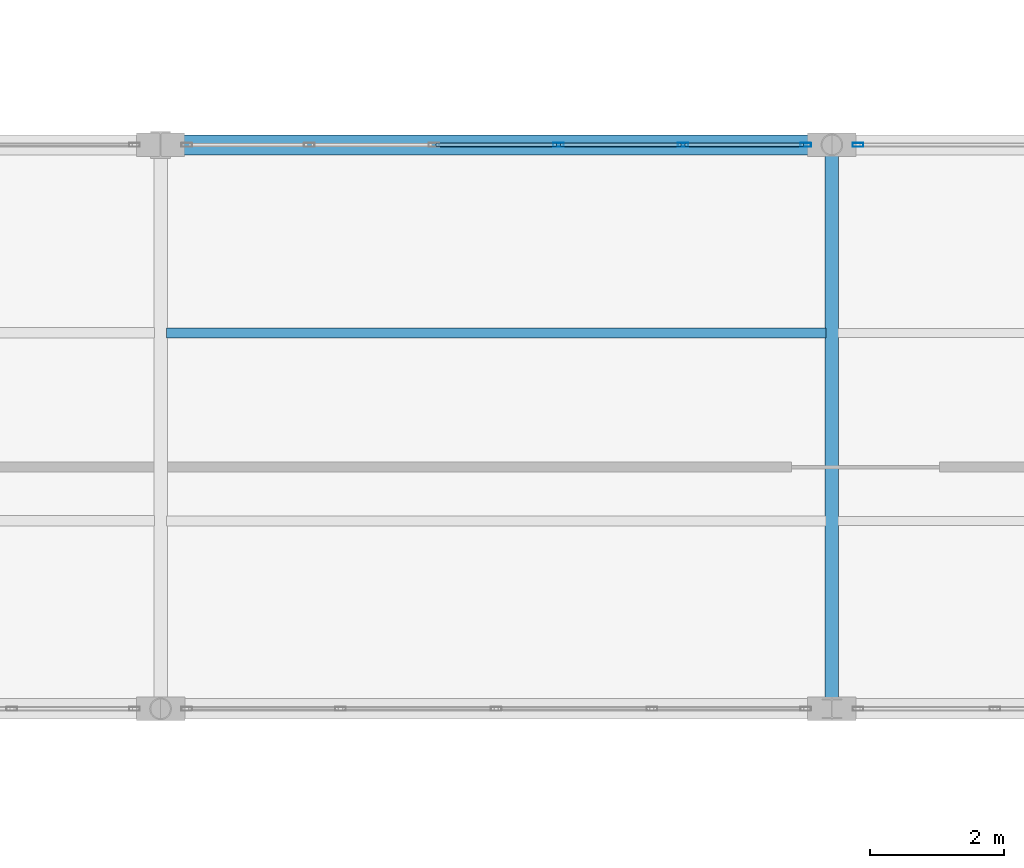
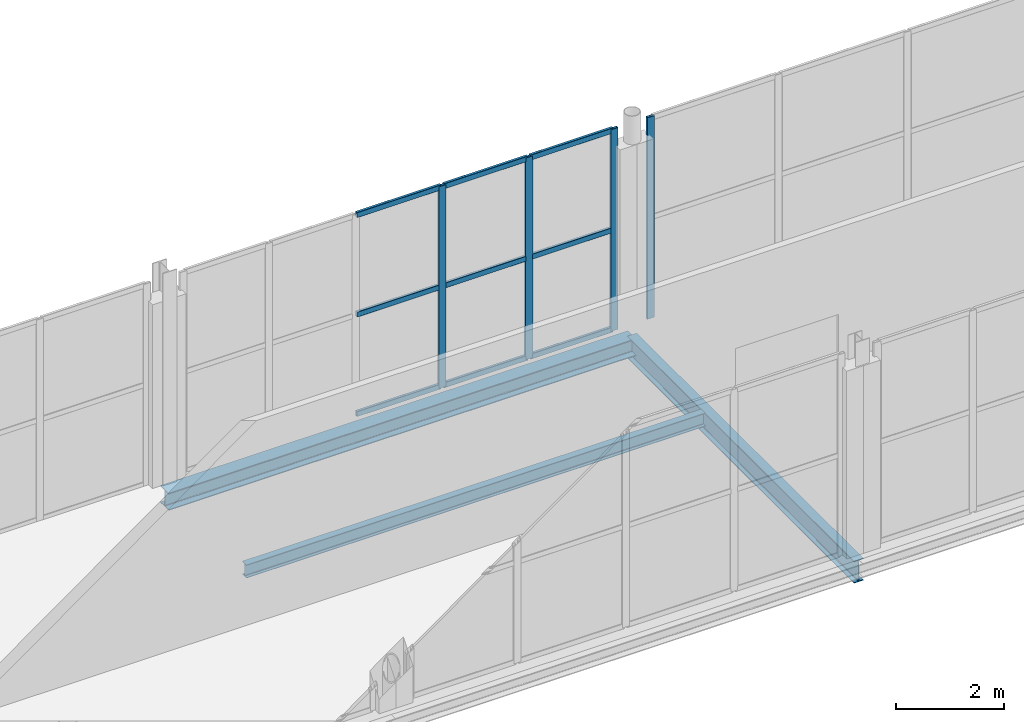
# One storey, part 62 of 120: 13 members, 3 beams, 2 elements without a shape of their own.
"""IFC4 building model written with IfcOpenShell, lengths in metres."""

from ifc_helpers import new_model, si_unit, direction, frame, origin, origin_2d, place, context, subcontext, project, spatial, hollow_rectangle, i_section, extrude, material, layer, layer_set, material_profile, profile_set, type_object, element, aggregate, save


model = new_model("IFC4")

# Units and contexts
model_context = context("Model", 3, precision=1e-05, world=origin(), true_north=direction((0.0, 1.0)))
body_context = subcontext(model_context, "Body", "Model", "MODEL_VIEW")
ifc_project = project(units=[si_unit("LENGTHUNIT", "METRE"), si_unit("AREAUNIT", "SQUARE_METRE"), si_unit("VOLUMEUNIT", "CUBIC_METRE"), si_unit("PLANEANGLEUNIT", "RADIAN"), si_unit("MASSUNIT", "GRAM", prefix="KILO")], contexts=[model_context])

# Site, building, storey
site_placement = place(None, origin())
site = spatial("IfcSite", under=ifc_project, at=site_placement, CompositionType="ELEMENT")
building_placement = place(site_placement, origin())
building = spatial("IfcBuilding", under=site, at=building_placement, Name="Vekula Escarpment Museum", CompositionType="ELEMENT")
storey_placement = place(building_placement, frame((0.0, 0.0, 13.199951171875)))
storey = spatial("IfcBuildingStorey", under=building, at=storey_placement, Name="L03", CompositionType="ELEMENT", Elevation=13.199951171875)

# Beams
ifc_material_1 = material(Name="Steel S355", Category="steel")
ifc_material_profile_1 = material_profile(ifc_material_1, i_section(OverallWidth=0.199951171875, OverallDepth=0.5, WebThickness=0.01025390625, FlangeThickness=0.01611328125, FilletRadius=0.02099609375, at=origin_2d()), Name="IPE 500")
ifc_profile_set_1 = profile_set([ifc_material_profile_1], Name="Steel S355")
beam_type_1 = type_object("IfcBeamType", Name="BM-GIRD-IPE500", PredefinedType="BEAM", material=ifc_profile_set_1)
beam_1_placement = place(storey_placement, frame((146.0, 68.0, -0.5), z_axis=(0.0, 1.0, 0.0), x_axis=(-1.0, 0.0, 0.0)))
element("IfcBeam", 1, at=beam_1_placement, inside=storey, type_object=beam_type_1, Name="Beam Y L03 1636", PredefinedType="BEAM", context=body_context, shape_type="SweptSolid", body=[
    extrude(i_section(OverallWidth=0.199951171875, OverallDepth=0.5, WebThickness=0.01025390625, FlangeThickness=0.01611328125, FilletRadius=0.02099609375, at=origin_2d()), origin(), (0.0, 0.0, 1.0), 8.39990234375),
])
ifc_material_2 = material(Name="Steel S355", Category="steel")
ifc_material_profile_2 = material_profile(ifc_material_2, i_section(OverallWidth=0.14990234375, OverallDepth=0.300048828125, WebThickness=0.007080078125, FlangeThickness=0.0107421875, FilletRadius=0.014892578125, at=origin_2d()), Name="IPE 300")
ifc_profile_set_2 = profile_set([ifc_material_profile_2], Name="Steel S355")
beam_type_2 = type_object("IfcBeamType", Name="BM-JST-IPE300", PredefinedType="JOIST", material=ifc_profile_set_2)
beam_2_placement = place(storey_placement, frame((136.090087890625, 73.60009765625, -0.39990234375), z_axis=(1.0, 0.0, 0.0), x_axis=(0.0, 1.0, 0.0)))
element("IfcBeam", 2, at=beam_2_placement, inside=storey, type_object=beam_type_2, Name="Secondary Joist L03 1079", PredefinedType="JOIST", context=body_context, shape_type="SweptSolid", body=[
    extrude(i_section(OverallWidth=0.14990234375, OverallDepth=0.300048828125, WebThickness=0.007080078125, FlangeThickness=0.0107421875, FilletRadius=0.014892578125, at=origin_2d()), origin(), (0.0, 0.0, 1.0), 9.81982421875),
])
ifc_material_3 = material(Name="Steel S355", Category="steel")
ifc_material_profile_3 = material_profile(ifc_material_3, i_section(OverallWidth=0.300048828125, OverallDepth=0.389892578125, WebThickness=0.010986328125, FlangeThickness=0.01904296875, FilletRadius=0.027099609375, at=origin_2d()), Name="HEA 400")
ifc_profile_set_3 = profile_set([ifc_material_profile_3], Name="Steel S355")
beam_type_3 = type_object("IfcBeamType", Name="BM-SPAN-HEA400", PredefinedType="SPANDREL", material=ifc_profile_set_3)
beam_3_placement = place(storey_placement, frame((136.0, 76.39990234375, -0.445068359375), z_axis=(1.0, 0.0, 0.0), x_axis=(0.0, 1.0, 0.0)))
element("IfcBeam", 3, at=beam_3_placement, inside=storey, type_object=beam_type_3, Name="Beam X L03 1392", PredefinedType="SPANDREL", context=body_context, shape_type="SweptSolid", body=[
    extrude(i_section(OverallWidth=0.300048828125, OverallDepth=0.389892578125, WebThickness=0.010986328125, FlangeThickness=0.01904296875, FilletRadius=0.027099609375, at=origin_2d()), origin(), (0.0, 0.0, 1.0), 10.0),
])

# Curtain wall, member
ifc_material_4 = material(Name="Aluminium thermally broken framing", Category="aluminium")
ifc_layer_1 = layer(ifc_material_4, 0.179931640625)
ifc_layer_set_1 = layer_set([ifc_layer_1], Name="Aluminium thermally broken framing")
curtain_wall_type_1 = type_object("IfcCurtainWallType", Name="CW-SYS-08", PredefinedType="NOTDEFINED", material=ifc_layer_set_1)
curtain_wall_1_placement = place(storey_placement, origin())
curtain_wall_1 = element("IfcCurtainWall", 4, at=curtain_wall_1_placement, inside=storey, type_object=curtain_wall_type_1, Name="Curtain Wall CW-L03-118", PredefinedType="NOTDEFINED")
ifc_material_5 = material(Name="Aluminium anodized mullion", Category="aluminium")
ifc_material_profile_4 = material_profile(ifc_material_5, hollow_rectangle(XDim=0.06005859375, YDim=0.159912109375, WallThickness=0.00390625, InnerFilletRadius=0.00390625, OuterFilletRadius=0.008056640625, at=origin_2d()), Name="ALU 160x60x4")
ifc_profile_set_4 = profile_set([ifc_material_profile_4], Name="Aluminium anodized mullion")
member_type_1 = type_object("IfcMemberType", Name="CW-MUL-160", PredefinedType="MULLION", material=ifc_profile_set_4)
member_1_placement = place(storey_placement, frame((146.389892578125, 76.39990234375, 0.0), z_axis=(0.0, 0.0, 1.0), x_axis=(0.0, -1.0, 0.0)))
member_1 = element("IfcMember", 5, at=member_1_placement, type_object=member_type_1, Name="CW-08 mullion 4", PredefinedType="MULLION", context=body_context, shape_type="SweptSolid", body=[
    extrude(hollow_rectangle(XDim=0.06005859375, YDim=0.159912109375, WallThickness=0.00390625, InnerFilletRadius=0.00390625, OuterFilletRadius=0.008056640625, at=origin_2d()), origin(), (0.0, 0.0, 1.0), 4.56005859375),
])
aggregate(curtain_wall_1, [member_1])

# Curtain wall, members
ifc_material_6 = material(Name="Aluminium thermally broken framing", Category="aluminium")
ifc_layer_2 = layer(ifc_material_6, 0.14990234375)
ifc_layer_set_2 = layer_set([ifc_layer_2], Name="Aluminium thermally broken framing")
curtain_wall_type_2 = type_object("IfcCurtainWallType", Name="CW-SYS-09", PredefinedType="NOTDEFINED", material=ifc_layer_set_2)
curtain_wall_2_placement = place(storey_placement, origin())
curtain_wall_2 = element("IfcCurtainWall", 6, at=curtain_wall_2_placement, inside=storey, type_object=curtain_wall_type_2, Name="Curtain Wall CW-L03-119", PredefinedType="NOTDEFINED")
member_2_placement = place(storey_placement, frame((145.610107421875, 76.39990234375, 0.0), z_axis=(0.0, 0.0, 1.0), x_axis=(0.0, -1.0, 0.0)))
member_2 = element("IfcMember", 7, at=member_2_placement, type_object=member_type_1, Name="CW-09 mullion 1", PredefinedType="MULLION", context=body_context, shape_type="SweptSolid", body=[
    extrude(hollow_rectangle(XDim=0.06005859375, YDim=0.159912109375, WallThickness=0.00390625, InnerFilletRadius=0.00390625, OuterFilletRadius=0.008056640625, at=origin_2d()), origin(), (0.0, 0.0, 1.0), 4.56005859375),
])
member_3_placement = place(storey_placement, frame((143.783935546875, 76.39990234375, 0.0), z_axis=(0.0, 0.0, 1.0), x_axis=(0.0, -1.0, 0.0)))
member_3 = element("IfcMember", 8, at=member_3_placement, type_object=member_type_1, Name="CW-09 mullion 2", PredefinedType="MULLION", context=body_context, shape_type="SweptSolid", body=[
    extrude(hollow_rectangle(XDim=0.06005859375, YDim=0.159912109375, WallThickness=0.00390625, InnerFilletRadius=0.00390625, OuterFilletRadius=0.008056640625, at=origin_2d()), origin(), (0.0, 0.0, 1.0), 4.56005859375),
])
member_4_placement = place(storey_placement, frame((141.927978515625, 76.39990234375, 0.0), z_axis=(0.0, 0.0, 1.0), x_axis=(0.0, -1.0, 0.0)))
member_4 = element("IfcMember", 9, at=member_4_placement, type_object=member_type_1, Name="CW-09 mullion 3", PredefinedType="MULLION", context=body_context, shape_type="SweptSolid", body=[
    extrude(hollow_rectangle(XDim=0.06005859375, YDim=0.159912109375, WallThickness=0.00390625, InnerFilletRadius=0.00390625, OuterFilletRadius=0.008056640625, at=origin_2d()), origin(), (0.0, 0.0, 1.0), 4.56005859375),
])
ifc_material_7 = material(Name="Aluminium anodized transom", Category="aluminium")
ifc_material_profile_5 = material_profile(ifc_material_7, hollow_rectangle(XDim=0.06005859375, YDim=0.1201171875, WallThickness=0.00390625, InnerFilletRadius=0.00390625, OuterFilletRadius=0.008056640625, at=origin_2d()), Name="ALU 120x60x4")
ifc_profile_set_5 = profile_set([ifc_material_profile_5], Name="Aluminium anodized transom")
member_type_2 = type_object("IfcMemberType", Name="CW-TRN-120", PredefinedType="USERDEFINED", material=ifc_profile_set_5)
member_5_placement = place(storey_placement, frame((145.580078125, 76.39990234375, 0.030029296875), z_axis=(-1.0, 0.0, 0.0), x_axis=(0.0, -1.0, 0.0)))
member_5 = element("IfcMember", 10, at=member_5_placement, type_object=member_type_2, Name="CW-09 transom 1.1", ObjectType="TRANSOM", PredefinedType="USERDEFINED", context=body_context, shape_type="SweptSolid", body=[
    extrude(hollow_rectangle(XDim=0.06005859375, YDim=0.1201171875, WallThickness=0.00390625, InnerFilletRadius=0.00390625, OuterFilletRadius=0.008056640625, at=origin_2d()), origin(), (0.0, 0.0, 1.0), 1.76611328125),
])
member_6_placement = place(storey_placement, frame((145.580078125, 76.39990234375, 2.280029296875), z_axis=(-1.0, 0.0, 0.0), x_axis=(0.0, -1.0, 0.0)))
member_6 = element("IfcMember", 11, at=member_6_placement, type_object=member_type_2, Name="CW-09 transom 1.2", ObjectType="TRANSOM", PredefinedType="USERDEFINED", context=body_context, shape_type="SweptSolid", body=[
    extrude(hollow_rectangle(XDim=0.06005859375, YDim=0.1201171875, WallThickness=0.00390625, InnerFilletRadius=0.00390625, OuterFilletRadius=0.008056640625, at=origin_2d()), origin(), (0.0, 0.0, 1.0), 1.76611328125),
])
member_7_placement = place(storey_placement, frame((145.580078125, 76.39990234375, 4.530029296875), z_axis=(-1.0, 0.0, 0.0), x_axis=(0.0, -1.0, 0.0)))
member_7 = element("IfcMember", 12, at=member_7_placement, type_object=member_type_2, Name="CW-09 transom 1.3", ObjectType="TRANSOM", PredefinedType="USERDEFINED", context=body_context, shape_type="SweptSolid", body=[
    extrude(hollow_rectangle(XDim=0.06005859375, YDim=0.1201171875, WallThickness=0.00390625, InnerFilletRadius=0.00390625, OuterFilletRadius=0.008056640625, at=origin_2d()), origin(), (0.0, 0.0, 1.0), 1.76611328125),
])
member_8_placement = place(storey_placement, frame((143.75390625, 76.39990234375, 0.030029296875), z_axis=(-1.0, 0.0, 0.0), x_axis=(0.0, -1.0, 0.0)))
member_8 = element("IfcMember", 13, at=member_8_placement, type_object=member_type_2, Name="CW-09 transom 2.1", ObjectType="TRANSOM", PredefinedType="USERDEFINED", context=body_context, shape_type="SweptSolid", body=[
    extrude(hollow_rectangle(XDim=0.06005859375, YDim=0.1201171875, WallThickness=0.00390625, InnerFilletRadius=0.00390625, OuterFilletRadius=0.008056640625, at=origin_2d()), origin(), (0.0, 0.0, 1.0), 1.7958984375),
])
member_9_placement = place(storey_placement, frame((143.75390625, 76.39990234375, 2.280029296875), z_axis=(-1.0, 0.0, 0.0), x_axis=(0.0, -1.0, 0.0)))
member_9 = element("IfcMember", 14, at=member_9_placement, type_object=member_type_2, Name="CW-09 transom 2.2", ObjectType="TRANSOM", PredefinedType="USERDEFINED", context=body_context, shape_type="SweptSolid", body=[
    extrude(hollow_rectangle(XDim=0.06005859375, YDim=0.1201171875, WallThickness=0.00390625, InnerFilletRadius=0.00390625, OuterFilletRadius=0.008056640625, at=origin_2d()), origin(), (0.0, 0.0, 1.0), 1.7958984375),
])
member_10_placement = place(storey_placement, frame((143.75390625, 76.39990234375, 4.530029296875), z_axis=(-1.0, 0.0, 0.0), x_axis=(0.0, -1.0, 0.0)))
member_10 = element("IfcMember", 15, at=member_10_placement, type_object=member_type_2, Name="CW-09 transom 2.3", ObjectType="TRANSOM", PredefinedType="USERDEFINED", context=body_context, shape_type="SweptSolid", body=[
    extrude(hollow_rectangle(XDim=0.06005859375, YDim=0.1201171875, WallThickness=0.00390625, InnerFilletRadius=0.00390625, OuterFilletRadius=0.008056640625, at=origin_2d()), origin(), (0.0, 0.0, 1.0), 1.7958984375),
])
member_11_placement = place(storey_placement, frame((141.89794921875, 76.39990234375, 0.030029296875), z_axis=(-1.0, 0.0, 0.0), x_axis=(0.0, -1.0, 0.0)))
member_11 = element("IfcMember", 16, at=member_11_placement, type_object=member_type_2, Name="CW-09 transom 3.1", ObjectType="TRANSOM", PredefinedType="USERDEFINED", context=body_context, shape_type="SweptSolid", body=[
    extrude(hollow_rectangle(XDim=0.06005859375, YDim=0.1201171875, WallThickness=0.00390625, InnerFilletRadius=0.00390625, OuterFilletRadius=0.008056640625, at=origin_2d()), origin(), (0.0, 0.0, 1.0), 1.7958984375),
])
member_12_placement = place(storey_placement, frame((141.89794921875, 76.39990234375, 2.280029296875), z_axis=(-1.0, 0.0, 0.0), x_axis=(0.0, -1.0, 0.0)))
member_12 = element("IfcMember", 17, at=member_12_placement, type_object=member_type_2, Name="CW-09 transom 3.2", ObjectType="TRANSOM", PredefinedType="USERDEFINED", context=body_context, shape_type="SweptSolid", body=[
    extrude(hollow_rectangle(XDim=0.06005859375, YDim=0.1201171875, WallThickness=0.00390625, InnerFilletRadius=0.00390625, OuterFilletRadius=0.008056640625, at=origin_2d()), origin(), (0.0, 0.0, 1.0), 1.7958984375),
])
member_13_placement = place(storey_placement, frame((141.89794921875, 76.39990234375, 4.530029296875), z_axis=(-1.0, 0.0, 0.0), x_axis=(0.0, -1.0, 0.0)))
member_13 = element("IfcMember", 18, at=member_13_placement, type_object=member_type_2, Name="CW-09 transom 3.3", ObjectType="TRANSOM", PredefinedType="USERDEFINED", context=body_context, shape_type="SweptSolid", body=[
    extrude(hollow_rectangle(XDim=0.06005859375, YDim=0.1201171875, WallThickness=0.00390625, InnerFilletRadius=0.00390625, OuterFilletRadius=0.008056640625, at=origin_2d()), origin(), (0.0, 0.0, 1.0), 1.7958984375),
])
aggregate(curtain_wall_2, [member_2, member_3, member_4, member_5, member_6, member_7, member_8, member_9, member_10, member_11, member_12, member_13])

save(model, "model.ifc")
